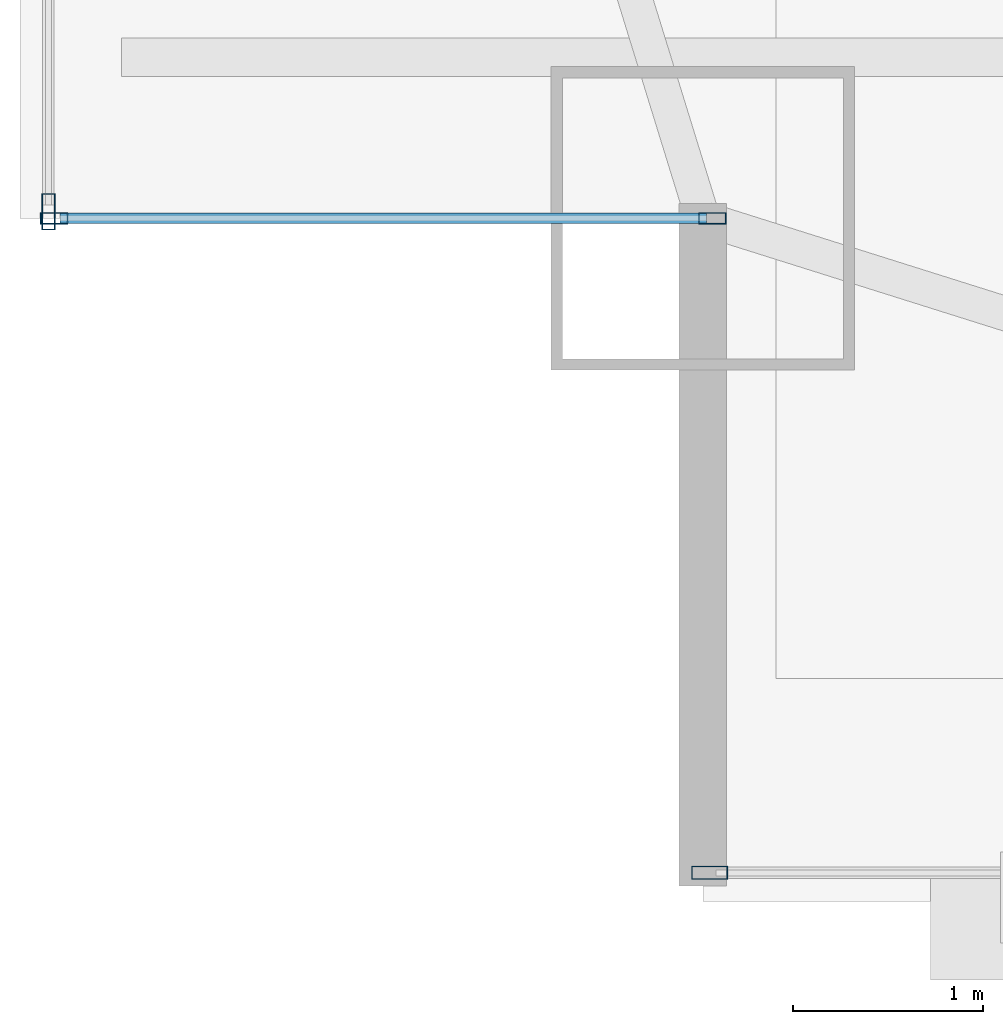
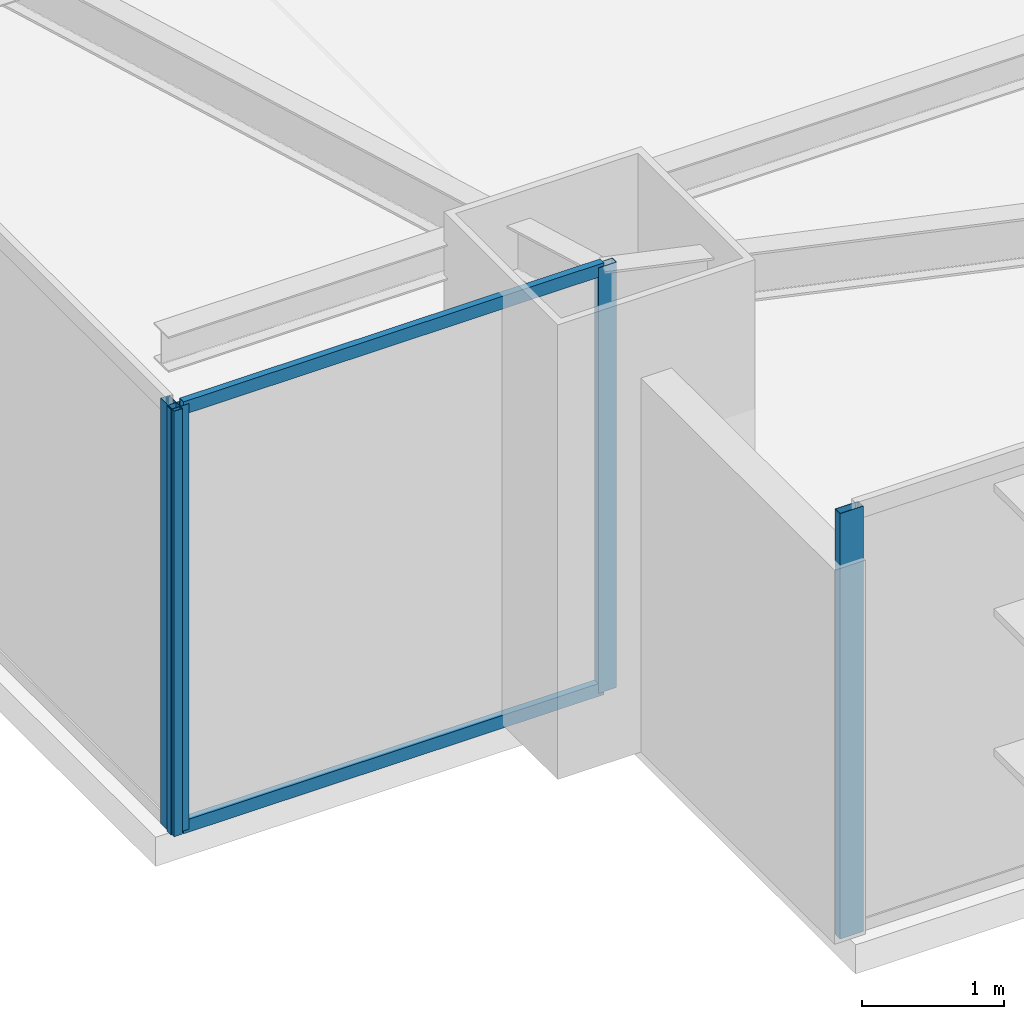
# One storey, part 3 of 35: 6 members, 3 elements without a shape of their own.
"""IFC4 building model written with IfcOpenShell, lengths in metres."""

from ifc_helpers import new_model, si_unit, direction, frame, origin, origin_2d, place, context, subcontext, project, spatial, hollow_rectangle, extrude, source, transform, mapped, material, layer, layer_set, material_profile, profile_set, type_object, type_shapes, element, aggregate, save


model = new_model("IFC4")

# Units and contexts
model_context = context("Model", 3, precision=1e-05, world=origin(), true_north=direction((0.0, 1.0)))
body_context = subcontext(model_context, "Body", "Model", "MODEL_VIEW")
ifc_project = project(units=[si_unit("LENGTHUNIT", "METRE"), si_unit("AREAUNIT", "SQUARE_METRE"), si_unit("VOLUMEUNIT", "CUBIC_METRE"), si_unit("PLANEANGLEUNIT", "RADIAN"), si_unit("MASSUNIT", "GRAM", prefix="KILO")], contexts=[model_context])

# Site, building, storey
site_placement = place(None, origin())
site = spatial("IfcSite", under=ifc_project, at=site_placement, CompositionType="ELEMENT")
building_placement = place(site_placement, origin())
building = spatial("IfcBuilding", under=site, at=building_placement, Name="Varnel Quay Broadcast Tower", CompositionType="ELEMENT")
storey_placement = place(building_placement, frame((0.0, 0.0, 31.5)))
storey = spatial("IfcBuildingStorey", under=building, at=storey_placement, Name="L06", CompositionType="ELEMENT", Elevation=31.5)

# Curtain wall, member
ifc_material = material(Name="Anodised Bronze Aluminium 6063-T6", Category="aluminium")
ifc_layer_1 = layer(ifc_material, 0.18994140625, Name="Anodised Bronze Aluminium 6063-T6")
ifc_layer_set_1 = layer_set([ifc_layer_1], Name="Anodised Bronze Aluminium 6063-T6")
curtain_wall_type_1 = type_object("IfcCurtainWallType", Name="CW_LowerTower", PredefinedType="NOTDEFINED", material=ifc_layer_set_1)
curtain_wall_1_placement = place(storey_placement, origin())
curtain_wall_1 = element("IfcCurtainWall", 1, at=curtain_wall_1_placement, inside=storey, type_object=curtain_wall_type_1, Name="L06 South Unitised Curtain Wall 1", PredefinedType="NOTDEFINED")
ifc_material_profile_1 = material_profile(ifc_material, hollow_rectangle(XDim=0.070068359375, YDim=0.18994140625, WallThickness=0.00390625, at=origin_2d()), Name="ALU70X190X4")
ifc_profile_set_1 = profile_set([ifc_material_profile_1], Name="Anodised Bronze Aluminium 6063-T6")
member_type_1 = type_object("IfcMemberType", Name="Mull_CWS-02", PredefinedType="MULLION", material=ifc_profile_set_1)
shared_shape_1 = source(origin(), body_context, "Body", "SweptSolid", [
    extrude(hollow_rectangle(XDim=0.070068359375, YDim=0.18994140625, WallThickness=0.00390625, at=origin_2d()), origin(), (0.0, 0.0, 1.0), 3.64990234375),
])
type_shapes(member_type_1, [shared_shape_1])
member_1_placement = place(storey_placement, frame((5.635009765625, 1.35009765625, 0.0), z_axis=(0.0, 0.0, 1.0), x_axis=(0.0, 1.0, 0.0)))
member_1 = element("IfcMember", 2, at=member_1_placement, type_object=member_type_1, Name="CWS-02 mullion 1", PredefinedType="MULLION", context=body_context, shape_type="MappedRepresentation", body=[
    mapped(shared_shape_1, transform((0.0, 0.0, 0.0), x_axis=(1.0, 0.0, 0.0), y_axis=(0.0, 1.0, 0.0), z_axis=(0.0, 0.0, 1.0), scale=1.0)),
])
aggregate(curtain_wall_1, [member_1])

curtain_wall_2_placement = place(storey_placement, origin())
curtain_wall_2 = element("IfcCurtainWall", 3, at=curtain_wall_2_placement, inside=storey, type_object=curtain_wall_type_1, Name="L06 West Unitised Curtain Wall", PredefinedType="NOTDEFINED")
member_2_placement = place(storey_placement, frame((2.14990234375, 4.8349609375, 0.0), z_axis=(0.0, 0.0, 1.0), x_axis=(-1.0, 0.0, 0.0)))
member_2 = element("IfcMember", 4, at=member_2_placement, type_object=member_type_1, Name="CWS-02 mullion 1", PredefinedType="MULLION", context=body_context, shape_type="MappedRepresentation", body=[
    mapped(shared_shape_1, transform((0.0, 0.0, 0.0), x_axis=(1.0, 0.0, 0.0), y_axis=(0.0, 1.0, 0.0), z_axis=(0.0, 0.0, 1.0), scale=1.0)),
])
aggregate(curtain_wall_2, [member_2])

# Curtain wall, members
ifc_layer_2 = layer(ifc_material, 0.18994140625, Name="Anodised Bronze Aluminium 6063-T6")
ifc_layer_set_2 = layer_set([ifc_layer_2], Name="Anodised Bronze Aluminium 6063-T6")
curtain_wall_type_2 = type_object("IfcCurtainWallType", Name="CW_NotchCorner", PredefinedType="NOTDEFINED", material=ifc_layer_set_2)
curtain_wall_3_placement = place(storey_placement, origin())
curtain_wall_3 = element("IfcCurtainWall", 5, at=curtain_wall_3_placement, inside=storey, type_object=curtain_wall_type_2, Name="L06 SW Notch Curtain Wall", PredefinedType="NOTDEFINED")
ifc_material_profile_2 = material_profile(ifc_material, hollow_rectangle(XDim=0.06005859375, YDim=0.14501953125, WallThickness=0.00341796875, at=origin_2d()), Name="ALU60X145X3.5")
ifc_profile_set_2 = profile_set([ifc_material_profile_2], Name="Anodised Bronze Aluminium 6063-T6")
member_type_2 = type_object("IfcMemberType", Name="Mull_CWS-04", PredefinedType="MULLION", material=ifc_profile_set_2)
shared_shape_2 = source(origin(), body_context, "Body", "SweptSolid", [
    extrude(hollow_rectangle(XDim=0.06005859375, YDim=0.14501953125, WallThickness=0.00341796875, at=origin_2d()), origin(), (0.0, 0.0, 1.0), 3.64990234375),
])
type_shapes(member_type_2, [shared_shape_2])
member_3_placement = place(storey_placement, frame((2.179931640625, 4.800048828125, 0.0), z_axis=(0.0, 0.0, 1.0), x_axis=(0.0, 1.0, 0.0)))
member_3 = element("IfcMember", 6, at=member_3_placement, type_object=member_type_2, Name="CWS-04 mullion 1", PredefinedType="MULLION", context=body_context, shape_type="MappedRepresentation", body=[
    mapped(shared_shape_2, transform((0.0, 0.0, 0.0), x_axis=(1.0, 0.0, 0.0), y_axis=(0.0, 1.0, 0.0), z_axis=(0.0, 0.0, 1.0), scale=1.0)),
])
member_4_placement = place(storey_placement, frame((5.64990234375, 4.800048828125, 0.0), z_axis=(0.0, 0.0, 1.0), x_axis=(0.0, 1.0, 0.0)))
member_4 = element("IfcMember", 7, at=member_4_placement, type_object=member_type_2, Name="CWS-04 mullion 2", PredefinedType="MULLION", context=body_context, shape_type="MappedRepresentation", body=[
    mapped(shared_shape_2, transform((0.0, 0.0, 0.0), x_axis=(1.0, 0.0, 0.0), y_axis=(0.0, 1.0, 0.0), z_axis=(0.0, 0.0, 1.0), scale=1.0)),
])
ifc_material_profile_3 = material_profile(ifc_material, hollow_rectangle(XDim=0.054931640625, YDim=0.110107421875, WallThickness=0.0029296875, at=origin_2d()), Name="ALU55X110X3")
ifc_profile_set_3 = profile_set([ifc_material_profile_3], Name="Anodised Bronze Aluminium 6063-T6")
member_type_3 = type_object("IfcMemberType", Name="Tran_CWS-04", PredefinedType="USERDEFINED", material=ifc_profile_set_3)
shared_shape_3 = source(origin(), body_context, "Body", "SweptSolid", [
    extrude(hollow_rectangle(XDim=0.054931640625, YDim=0.110107421875, WallThickness=0.0029296875, at=origin_2d()), origin(), (0.0, 0.0, 1.0), 3.41015625),
])
type_shapes(member_type_3, [shared_shape_3])
member_5_placement = place(storey_placement, frame((2.2099609375, 4.800048828125, 0.027587890625), z_axis=(1.0, 0.0, 0.0), x_axis=(0.0, 1.0, 0.0)))
member_5 = element("IfcMember", 8, at=member_5_placement, type_object=member_type_3, Name="CWS-04 transom 1.1", ObjectType="TRANSOM", PredefinedType="USERDEFINED", context=body_context, shape_type="MappedRepresentation", body=[
    mapped(shared_shape_3, transform((0.0, 0.0, 0.0), x_axis=(1.0, 0.0, 0.0), y_axis=(0.0, 1.0, 0.0), z_axis=(0.0, 0.0, 1.0), scale=1.0)),
])
member_6_placement = place(storey_placement, frame((2.2099609375, 4.800048828125, 3.62255859375), z_axis=(1.0, 0.0, 0.0), x_axis=(0.0, 1.0, 0.0)))
member_6 = element("IfcMember", 9, at=member_6_placement, type_object=member_type_3, Name="CWS-04 transom 1.2", ObjectType="TRANSOM", PredefinedType="USERDEFINED", context=body_context, shape_type="MappedRepresentation", body=[
    mapped(shared_shape_3, transform((0.0, 0.0, 0.0), x_axis=(1.0, 0.0, 0.0), y_axis=(0.0, 1.0, 0.0), z_axis=(0.0, 0.0, 1.0), scale=1.0)),
])
aggregate(curtain_wall_3, [member_3, member_4, member_5, member_6])

save(model, "model.ifc")
